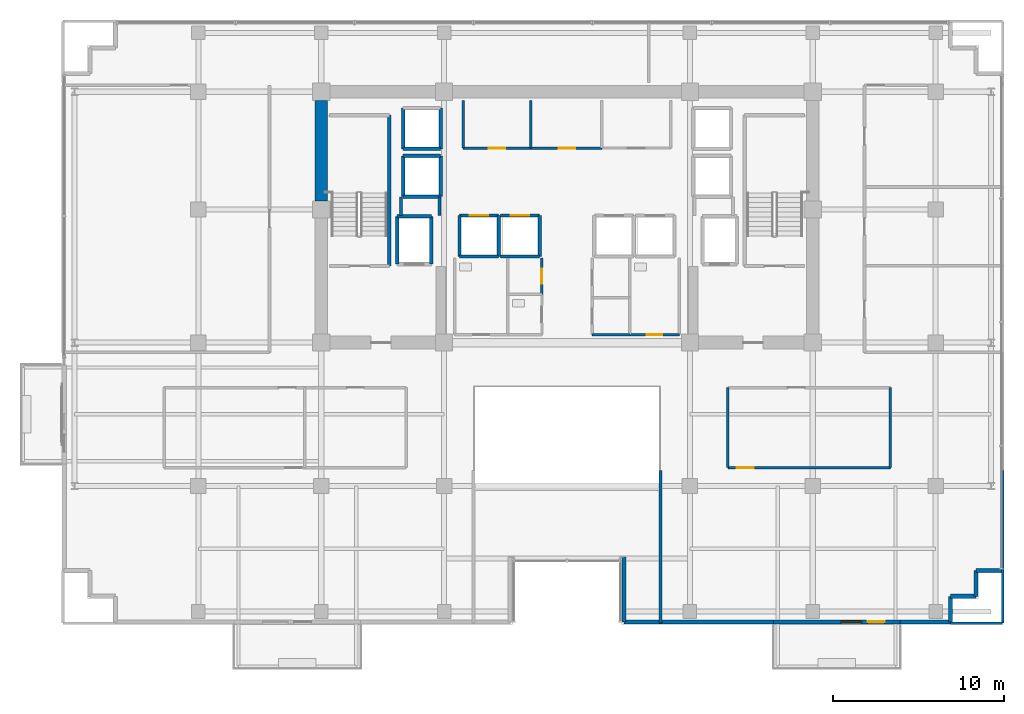
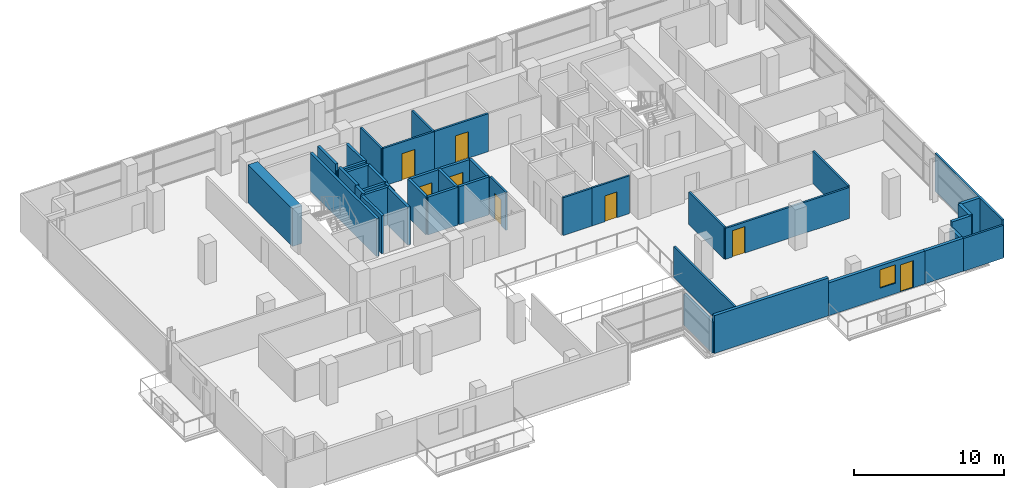
# One storey, part 21 of 27: 42 walls, 8 doors, 1 window, 9 openings.
"""IFC4 building model written with IfcOpenShell, lengths in metres."""

from ifc_helpers import new_model, si_unit, direction, frame, frame_2d, origin, place, context, subcontext, project, spatial, rectangle, extrude, source, transform, mapped, material, layer, layer_set, type_object, element, fill, save


model = new_model("IFC4")

# Units and contexts
model_context = context("Model", 3, precision=1e-05, world=origin(), true_north=direction((0.0, 1.0)))
body_context = subcontext(model_context, "Body", "Model", "MODEL_VIEW")
ifc_project = project(units=[si_unit("LENGTHUNIT", "METRE"), si_unit("AREAUNIT", "SQUARE_METRE"), si_unit("VOLUMEUNIT", "CUBIC_METRE"), si_unit("PLANEANGLEUNIT", "RADIAN"), si_unit("MASSUNIT", "GRAM", prefix="KILO")], contexts=[model_context])

# Site, building, storey
site_placement = place(None, origin())
site = spatial("IfcSite", under=ifc_project, at=site_placement, CompositionType="ELEMENT")
building_placement = place(site_placement, origin())
building = spatial("IfcBuilding", under=site, at=building_placement, Name="Zarnakvel Exchange Tower", CompositionType="ELEMENT")
storey_placement = place(building_placement, frame((0.0, 0.0, 96.699951171875)))
storey = spatial("IfcBuildingStorey", under=building, at=storey_placement, Name="L26", CompositionType="ELEMENT", Elevation=96.699951171875)

# Wall
ifc_material_1 = material(Name="Concrete C60/75", Category="concrete")
ifc_layer_1 = layer(ifc_material_1, 0.75)
ifc_layer_set_1 = layer_set([ifc_layer_1], Name="Concrete C60/75")
wall_type_1 = type_object("IfcWallType", Name="CW-C3", PredefinedType="SHEAR", material=ifc_layer_set_1)
wall_1_placement = place(storey_placement, frame((-14.39990234375, 7.10009765625, 0.0), z_axis=(0.0, 0.0, 1.0), x_axis=(0.0, 1.0, 0.0)))
element("IfcWall", 1, at=wall_1_placement, inside=storey, type_object=wall_type_1, Name="L26 Rear Core Shear Wall W2 (CW-C3)", PredefinedType="SHEAR", context=body_context, shape_type="SweptSolid", body=[
    extrude(rectangle(XDim=5.89990234375, YDim=0.75, at=frame_2d((2.949951171875, 0.0))), origin(), (0.0, 0.0, 1.0), 3.074951171875),
])

# Wall, openings, door, window
ifc_material_2 = material(Name="Precast concrete C40/50", Category="concrete")
ifc_layer_2 = layer(ifc_material_2, 0.239990234375)
ifc_layer_set_2 = layer_set([ifc_layer_2], Name="Precast concrete C40/50")
wall_type_2 = type_object("IfcWallType", Name="EW-02", PredefinedType="SOLIDWALL", material=ifc_layer_set_2)
wall_2_placement = place(storey_placement, frame((19.5, -17.56005859375, 0.0), z_axis=(0.0, 0.0, 1.0), x_axis=(-1.0, 0.0, 0.0)))
wall_2 = element("IfcWall", 2, at=wall_2_placement, inside=storey, type_object=wall_type_2, Name="L26 Exterior Precast Spandrel Wall EW-BAL-L26-SE (EW-02)", PredefinedType="SOLIDWALL", context=body_context, shape_type="SweptSolid", body=[
    extrude(rectangle(XDim=7.39990234375, YDim=0.239990234375, at=frame_2d((3.699951171875, 0.0))), origin(), (0.0, 0.0, 1.0), 2.6650390625),
])
opening_1_placement = place(wall_2_placement, frame((0.887939453125, 0.0, 0.0)))
opening_1 = element("IfcOpeningElement", 3, at=opening_1_placement, cuts=wall_2, Name="Opening BD-L26-02", PredefinedType="OPENING", context=body_context, shape_type="SweptSolid", body=[
    extrude(rectangle(XDim=1.0, YDim=2.199951171875, at=frame_2d((0.5, 1.10009765625))), frame((0.0, 0.1298828125, 0.0), z_axis=(0.0, -1.0, 0.0), x_axis=(1.0, 0.0, 0.0)), (0.0, 0.0, 1.0), 0.260009765625),
])
opening_2_placement = place(wall_2_placement, frame((2.238037109375, 0.0, 0.85009765625)))
opening_2 = element("IfcOpeningElement", 4, at=opening_2_placement, cuts=wall_2, Name="Opening WN-04", PredefinedType="OPENING", context=body_context, shape_type="SweptSolid", body=[
    extrude(rectangle(XDim=1.199951171875, YDim=1.5, at=frame_2d((0.60009765625, 0.75))), frame((0.0, 0.1298828125, 0.0), z_axis=(0.0, -1.0, 0.0), x_axis=(1.0, 0.0, 0.0)), (0.0, 0.0, 1.0), 0.260009765625),
])
ifc_material_3 = material(Name="Architectural Bronze Anodised Aluminium", Category="aluminium")
door_type_1 = type_object("IfcDoorType", Name="DT-09", OperationType="NOTDEFINED", PredefinedType="DOOR", material=ifc_material_3)
shared_shape_1 = source(origin(), body_context, "Body", "SweptSolid", [
    extrude(rectangle(XDim=1.0, YDim=2.199951171875, at=frame_2d((0.5, 1.10009765625))), frame((0.0, 0.02490234375, 0.0), z_axis=(0.0, -1.0, 0.0), x_axis=(1.0, 0.0, 0.0)), (0.0, 0.0, 1.0), 0.050048828125),
])
door_1_placement = place(opening_1_placement, origin())
door_1 = element("IfcDoor", 5, at=door_1_placement, inside=storey, type_object=door_type_1, Name="L26 Planted Loggia Balcony Door BD-L26-02", OperationType="SINGLE_SWING_LEFT", OverallHeight=2.199951171875, OverallWidth=1.0, PredefinedType="DOOR", context=body_context, shape_type="MappedRepresentation", body=[
    mapped(shared_shape_1, transform((0.0, 0.0, 0.0), x_axis=(1.0, 0.0, 0.0), y_axis=(0.0, 1.0, 0.0), z_axis=(0.0, 0.0, 1.0), scale=1.0)),
])
fill(opening_1, door_1)
ifc_material_4 = material(Name="Double Low-E Laminated Vision Glass", Category="glass")
window_type = type_object("IfcWindowType", Name="WN-04", PartitioningType="SINGLE_PANEL", PredefinedType="WINDOW", material=ifc_material_4)
shared_shape_2 = source(origin(), body_context, "Body", "SweptSolid", [
    extrude(rectangle(XDim=1.199951171875, YDim=1.5, at=frame_2d((0.60009765625, 0.75))), frame((0.0, 0.030029296875, 0.0), z_axis=(0.0, -1.0, 0.0), x_axis=(1.0, 0.0, 0.0)), (0.0, 0.0, 1.0), 0.06005859375),
])
window_placement = place(opening_2_placement, origin())
window = element("IfcWindow", 6, at=window_placement, inside=storey, type_object=window_type, Name="L26 Loggia Daylight Window (WN-04)", OverallHeight=1.5, OverallWidth=1.199951171875, PartitioningType="SINGLE_PANEL", PredefinedType="WINDOW", context=body_context, shape_type="MappedRepresentation", body=[
    mapped(shared_shape_2, transform((0.0, 0.0, 0.0), x_axis=(1.0, 0.0, 0.0), y_axis=(0.0, 1.0, 0.0), z_axis=(0.0, 0.0, 1.0), scale=1.0)),
])
fill(opening_2, window)

# Walls
for number, where, z_axis, x_axis, name in (
    (7, (23.9599609375, -14.56005859375, 0.0), (0.0, 0.0, 1.0), (1.0, 0.0, 0.0), "L26 Exterior Precast Spandrel Wall EWC-L26-11 (EW-02)"),
    (8, (23.9599609375, -16.06005859375, 0.0), (0.0, 0.0, 1.0), (0.0, 1.0, 0.0), "L26 Exterior Precast Spandrel Wall EWC-L26-12 (EW-02)"),
    (9, (22.4599609375, -16.06005859375, 0.0), (0.0, 0.0, 1.0), (1.0, 0.0, 0.0), "L26 Exterior Precast Spandrel Wall EWC-L26-13 (EW-02)"),
):
    element("IfcWall", number, at=place(storey_placement, frame(where, z_axis=z_axis, x_axis=x_axis)), inside=storey, type_object=wall_type_2, Name=name, PredefinedType="SOLIDWALL", context=body_context, shape_type="SweptSolid", body=[
        extrude(rectangle(XDim=1.5, YDim=0.239990234375, at=frame_2d((0.75, 0.0))), origin(), (0.0, 0.0, 1.0), 3.074951171875),
    ])
wall_3_placement = place(storey_placement, frame((22.4599609375, -17.56005859375, 0.0), z_axis=(0.0, 0.0, 1.0), x_axis=(0.0, 1.0, 0.0)))
element("IfcWall", 10, at=wall_3_placement, inside=storey, type_object=wall_type_2, Name="L26 Exterior Precast Spandrel Wall EWC-L26-14 (EW-02)", PredefinedType="SOLIDWALL", context=body_context, shape_type="SweptSolid", body=[
    extrude(rectangle(XDim=1.5, YDim=0.239990234375, at=frame_2d((0.75, 0.0))), origin(), (0.0, 0.0, 1.0), 2.56494140625),
])
wall_4_placement = place(storey_placement, frame((19.5, -17.56005859375, 0.0), z_axis=(0.0, 0.0, 1.0), x_axis=(1.0, 0.0, 0.0)))
element("IfcWall", 11, at=wall_4_placement, inside=storey, type_object=wall_type_2, Name="L26 Exterior Precast Spandrel Wall EWC-L26-15 (EW-02)", PredefinedType="SOLIDWALL", context=body_context, shape_type="SweptSolid", body=[
    extrude(rectangle(XDim=2.9599609375, YDim=0.239990234375, at=frame_2d((1.47998046875, 0.0))), origin(), (0.0, 0.0, 1.0), 2.6650390625),
])
wall_5_placement = place(storey_placement, frame((3.340087890625, -17.56005859375, 0.0), z_axis=(0.0, 0.0, 1.0), x_axis=(1.0, 0.0, 0.0)))
element("IfcWall", 12, at=wall_5_placement, inside=storey, type_object=wall_type_2, Name="L26 Exterior Precast Spandrel Wall EWC-L26-16 (EW-02)", PredefinedType="SOLIDWALL", context=body_context, shape_type="SweptSolid", body=[
    extrude(rectangle(XDim=8.760009765625, YDim=0.239990234375, at=frame_2d((4.3798828125, 0.0))), origin(), (0.0, 0.0, 1.0), 3.074951171875),
])
wall_6_placement = place(storey_placement, frame((3.340087890625, -13.760009765625, 0.0), z_axis=(0.0, 0.0, 1.0), x_axis=(0.0, -1.0, 0.0)))
element("IfcWall", 13, at=wall_6_placement, inside=storey, type_object=wall_type_2, Name="L26 Exterior Precast Spandrel Wall EWC-L26-17 (EW-02)", PredefinedType="SOLIDWALL", context=body_context, shape_type="SweptSolid", body=[
    extrude(rectangle(XDim=3.800048828125, YDim=0.239990234375, at=frame_2d((1.89990234375, 0.0))), origin(), (0.0, 0.0, 1.0), 2.51513671875),
])

# Wall, opening, door
ifc_material_5 = material(Name="Fire-Rated Gypsum Stud Partition", Category="gypsum")
ifc_layer_3 = layer(ifc_material_5, 0.14990234375)
ifc_layer_set_3 = layer_set([ifc_layer_3], Name="Fire-Rated Gypsum Stud Partition")
wall_type_3 = type_object("IfcWallType", Name="PT-01", PredefinedType="PARTITIONING", material=ifc_layer_set_3)
wall_7_placement = place(storey_placement, frame((-2.1201171875, 10.199951171875, 0.0), z_axis=(0.0, 0.0, 1.0), x_axis=(-1.0, 0.0, 0.0)))
wall_7 = element("IfcWall", 14, at=wall_7_placement, inside=storey, type_object=wall_type_3, Name="L26 Partition Wall PWALL-L26-011 (PT-01)", PredefinedType="PARTITIONING", context=body_context, shape_type="SweptSolid", body=[
    extrude(rectangle(XDim=3.9599609375, YDim=0.14990234375, at=frame_2d((1.97998046875, 0.0))), origin(), (0.0, 0.0, 1.0), 3.074951171875),
])
opening_3_placement = place(wall_7_placement, frame((1.489990234375, 0.0, 0.0)))
opening_3 = element("IfcOpeningElement", 15, at=opening_3_placement, cuts=wall_7, Name="Opening D-L26-05", PredefinedType="OPENING", context=body_context, shape_type="SweptSolid", body=[
    extrude(rectangle(XDim=0.97998046875, YDim=2.14990234375, at=frame_2d((0.489990234375, 1.074951171875))), frame((0.0, 0.0849609375, 0.0), z_axis=(0.0, -1.0, 0.0), x_axis=(1.0, 0.0, 0.0)), (0.0, 0.0, 1.0), 0.169921875),
])
ifc_material_6 = material(Name="Timber Acoustic Veneer", Category="wood")
door_type_2 = type_object("IfcDoorType", Name="DT-05", OperationType="NOTDEFINED", PredefinedType="DOOR", material=ifc_material_6)
shared_shape_3 = source(origin(), body_context, "Body", "SweptSolid", [
    extrude(rectangle(XDim=0.97998046875, YDim=2.14990234375, at=frame_2d((0.489990234375, 1.074951171875))), frame((0.0, 0.02490234375, 0.0), z_axis=(0.0, -1.0, 0.0), x_axis=(1.0, 0.0, 0.0)), (0.0, 0.0, 1.0), 0.050048828125),
])
door_2_placement = place(opening_3_placement, origin())
door_2 = element("IfcDoor", 16, at=door_2_placement, inside=storey, type_object=door_type_2, Name="L26 Clearing Records Office Door D-L26-05", OperationType="SINGLE_SWING_RIGHT", OverallHeight=2.14990234375, OverallWidth=0.97998046875, PredefinedType="DOOR", context=body_context, shape_type="MappedRepresentation", body=[
    mapped(shared_shape_3, transform((0.0, 0.0, 0.0), x_axis=(1.0, 0.0, 0.0), y_axis=(0.0, 1.0, 0.0), z_axis=(0.0, 0.0, 1.0), scale=1.0)),
])
fill(opening_3, door_2)

# Walls
for number, where, z_axis, x_axis, name in (
    (17, (-6.080078125, 10.199951171875, 0.0), (0.0, 0.0, 1.0), (0.0, 1.0, 0.0), "L26 Partition Wall PWALL-L26-012 (PT-01)"),
    (18, (-2.1201171875, 13.0, 0.0), (0.0, 0.0, 1.0), (0.0, -1.0, 0.0), "L26 Partition Wall PWALL-L26-013 (PT-01)"),
):
    element("IfcWall", number, at=place(storey_placement, frame(where, z_axis=z_axis, x_axis=x_axis)), inside=storey, type_object=wall_type_3, Name=name, PredefinedType="PARTITIONING", context=body_context, shape_type="SweptSolid", body=[
        extrude(rectangle(XDim=2.800048828125, YDim=0.14990234375, at=frame_2d((1.39990234375, 0.0))), origin(), (0.0, 0.0, 1.0), 3.074951171875),
    ])

# Wall, opening, door
wall_8_placement = place(storey_placement, frame((2.0400390625, 10.199951171875, 0.0), z_axis=(0.0, 0.0, 1.0), x_axis=(-1.0, 0.0, 0.0)))
wall_8 = element("IfcWall", 19, at=wall_8_placement, inside=storey, type_object=wall_type_3, Name="L26 Partition Wall PWALL-L26-014 (PT-01)", PredefinedType="PARTITIONING", context=body_context, shape_type="SweptSolid", body=[
    extrude(rectangle(XDim=4.16015625, YDim=0.14990234375, at=frame_2d((2.080078125, 0.0))), origin(), (0.0, 0.0, 1.0), 3.074951171875),
])
opening_4_placement = place(wall_8_placement, frame((1.550048828125, 0.0, 0.0)))
opening_4 = element("IfcOpeningElement", 20, at=opening_4_placement, cuts=wall_8, Name="Opening D-L26-06", PredefinedType="OPENING", context=body_context, shape_type="SweptSolid", body=[
    extrude(rectangle(XDim=0.97998046875, YDim=2.14990234375, at=frame_2d((0.489990234375, 1.074951171875))), frame((0.0, 0.0849609375, 0.0), z_axis=(0.0, -1.0, 0.0), x_axis=(1.0, 0.0, 0.0)), (0.0, 0.0, 1.0), 0.169921875),
])
door_3_placement = place(opening_4_placement, origin())
door_3 = element("IfcDoor", 21, at=door_3_placement, inside=storey, type_object=door_type_2, Name="L26 Brokerage Filing Room Door D-L26-06", OperationType="SINGLE_SWING_LEFT", OverallHeight=2.14990234375, OverallWidth=0.97998046875, PredefinedType="DOOR", context=body_context, shape_type="MappedRepresentation", body=[
    mapped(shared_shape_3, transform((0.0, 0.0, 0.0), x_axis=(1.0, 0.0, 0.0), y_axis=(0.0, 1.0, 0.0), z_axis=(0.0, 0.0, 1.0), scale=1.0)),
])
fill(opening_4, door_3)

wall_9_placement = place(storey_placement, frame((-1.469970703125, 3.760009765625, 0.0), z_axis=(0.0, 0.0, 1.0), x_axis=(0.0, -1.0, 0.0)))
wall_9 = element("IfcWall", 22, at=wall_9_placement, inside=storey, type_object=wall_type_3, Name="L26 Partition Wall PWALL-L26-024 (PT-01)", PredefinedType="PARTITIONING", context=body_context, shape_type="SweptSolid", body=[
    extrude(rectangle(XDim=2.130126953125, YDim=0.14990234375, at=frame_2d((1.06494140625, 0.0))), origin(), (0.0, 0.0, 1.0), 3.074951171875),
])
opening_5_placement = place(wall_9_placement, frame((0.6201171875, 0.0, 0.0)))
opening_5 = element("IfcOpeningElement", 23, at=opening_5_placement, cuts=wall_9, Name="Opening D-L26-10", PredefinedType="OPENING", context=body_context, shape_type="SweptSolid", body=[
    extrude(rectangle(XDim=0.8798828125, YDim=2.10009765625, at=frame_2d((0.43994140625, 1.050048828125))), frame((0.0, 0.0849609375, 0.0), z_axis=(0.0, -1.0, 0.0), x_axis=(1.0, 0.0, 0.0)), (0.0, 0.0, 1.0), 0.169921875),
])
ifc_material_7 = material(Name="Painted Galvanised Steel S355", Category="steel")
door_type_3 = type_object("IfcDoorType", Name="DT-08", OperationType="NOTDEFINED", PredefinedType="DOOR", material=ifc_material_7)
shared_shape_4 = source(origin(), body_context, "Body", "SweptSolid", [
    extrude(rectangle(XDim=0.8798828125, YDim=2.10009765625, at=frame_2d((0.43994140625, 1.050048828125))), frame((0.0, 0.02490234375, 0.0), z_axis=(0.0, -1.0, 0.0), x_axis=(1.0, 0.0, 0.0)), (0.0, 0.0, 1.0), 0.050048828125),
])
door_4_placement = place(opening_5_placement, origin())
door_4 = element("IfcDoor", 24, at=door_4_placement, inside=storey, type_object=door_type_3, Name="L26 Core Comms Room Door D-L26-10", OperationType="SINGLE_SWING_LEFT", OverallHeight=2.10009765625, OverallWidth=0.8798828125, PredefinedType="DOOR", context=body_context, shape_type="MappedRepresentation", body=[
    mapped(shared_shape_4, transform((0.0, 0.0, 0.0), x_axis=(1.0, 0.0, 0.0), y_axis=(0.0, 1.0, 0.0), z_axis=(0.0, 0.0, 1.0), scale=1.0)),
])
fill(opening_5, door_4)

# Wall
wall_10_placement = place(storey_placement, frame((3.679931640625, -0.72998046875, 0.0), z_axis=(0.0, 0.0, 1.0), x_axis=(-1.0, 0.0, 0.0)))
element("IfcWall", 25, at=wall_10_placement, inside=storey, type_object=wall_type_3, Name="L26 Partition Wall PWALL-L26-025 (PT-01)", PredefinedType="PARTITIONING", context=body_context, shape_type="SweptSolid", body=[
    extrude(rectangle(XDim=2.2099609375, YDim=0.14990234375, at=frame_2d((1.10498046875, 0.0))), origin(), (0.0, 0.0, 1.0), 3.074951171875),
])

# Wall, opening, door
wall_11_placement = place(storey_placement, frame((18.941162109375, -8.52001953125, 0.0), z_axis=(0.0, 0.0, 1.0), x_axis=(-1.0, 0.0, 0.0)))
wall_11 = element("IfcWall", 26, at=wall_11_placement, inside=storey, type_object=wall_type_3, Name="L26 Partition Wall PWALL-L26-043 (PT-01)", PredefinedType="PARTITIONING", context=body_context, shape_type="SweptSolid", body=[
    extrude(rectangle(XDim=9.51123046875, YDim=0.14990234375, at=frame_2d((4.755615234375, 0.0))), origin(), (0.0, 0.0, 1.0), 2.51513671875),
])
opening_6_placement = place(wall_11_placement, frame((8.001220703125, 0.0, 0.0)))
opening_6 = element("IfcOpeningElement", 27, at=opening_6_placement, cuts=wall_11, Name="Opening D-L26-18", PredefinedType="OPENING", context=body_context, shape_type="SweptSolid", body=[
    extrude(rectangle(XDim=0.97998046875, YDim=2.14990234375, at=frame_2d((0.489990234375, 1.074951171875))), frame((0.0, 0.0849609375, 0.0), z_axis=(0.0, -1.0, 0.0), x_axis=(1.0, 0.0, 0.0)), (0.0, 0.0, 1.0), 0.169921875),
])
door_5_placement = place(opening_6_placement, origin())
door_5 = element("IfcDoor", 28, at=door_5_placement, inside=storey, type_object=door_type_2, Name="L26 Clearing Office Door D-L26-18", OperationType="SINGLE_SWING_LEFT", OverallHeight=2.14990234375, OverallWidth=0.97998046875, PredefinedType="DOOR", context=body_context, shape_type="MappedRepresentation", body=[
    mapped(shared_shape_3, transform((0.0, 0.0, 0.0), x_axis=(1.0, 0.0, 0.0), y_axis=(0.0, 1.0, 0.0), z_axis=(0.0, 0.0, 1.0), scale=1.0)),
])
fill(opening_6, door_5)

# Walls
for number, where, z_axis, x_axis, name in (
    (29, (9.429931640625, -8.52001953125, 0.0), (0.0, 0.0, 1.0), (0.0, 1.0, 0.0), "L26 Partition Wall PWALL-L26-045 (PT-01)"),
    (30, (18.941162109375, -3.830078125, 0.0), (0.0, 0.0, 1.0), (0.0, -1.0, 0.0), "L26 Partition Wall PWALL-L26-046 (PT-01)"),
):
    element("IfcWall", number, at=place(storey_placement, frame(where, z_axis=z_axis, x_axis=x_axis)), inside=storey, type_object=wall_type_3, Name=name, PredefinedType="PARTITIONING", context=body_context, shape_type="SweptSolid", body=[
        extrude(rectangle(XDim=4.68994140625, YDim=0.14990234375, at=frame_2d((2.344970703125, 0.0))), origin(), (0.0, 0.0, 1.0), 2.614990234375),
    ])
wall_12_placement = place(storey_placement, frame((25.530029296875, -17.6298828125, 0.0), z_axis=(0.0, 0.0, 1.0), x_axis=(-1.0, 0.0, 0.0)))
element("IfcWall", 31, at=wall_12_placement, inside=storey, type_object=wall_type_3, Name="L26 Partition Wall PWALL-L26-047 (PT-01)", PredefinedType="PARTITIONING", context=body_context, shape_type="SweptSolid", body=[
    extrude(rectangle(XDim=3.070068359375, YDim=0.14990234375, at=frame_2d((1.53515625, 0.0))), origin(), (0.0, 0.0, 1.0), 2.6650390625),
])
wall_13_placement = place(storey_placement, frame((5.47998046875, -17.6298828125, 0.0), z_axis=(0.0, 0.0, 1.0), x_axis=(0.0, 1.0, 0.0)))
element("IfcWall", 32, at=wall_13_placement, inside=storey, type_object=wall_type_3, Name="L26 Partition Wall PWALL-L26-048 (PT-01)", PredefinedType="PARTITIONING", context=body_context, shape_type="SweptSolid", body=[
    extrude(rectangle(XDim=8.949951171875, YDim=0.14990234375, at=frame_2d((4.47509765625, 0.0))), origin(), (0.0, 0.0, 1.0), 2.51513671875),
])
wall_14_placement = place(storey_placement, frame((25.530029296875, -8.679931640625, 0.0), z_axis=(0.0, 0.0, 1.0), x_axis=(0.0, -1.0, 0.0)))
element("IfcWall", 33, at=wall_14_placement, inside=storey, type_object=wall_type_3, Name="L26 Partition Wall PWALL-L26-049 (PT-01)", PredefinedType="PARTITIONING", context=body_context, shape_type="SweptSolid", body=[
    extrude(rectangle(XDim=8.949951171875, YDim=0.14990234375, at=frame_2d((4.47509765625, 0.0))), origin(), (0.0, 0.0, 1.0), 3.074951171875),
])
ifc_layer_4 = layer(ifc_material_5, 0.179931640625)
ifc_layer_set_4 = layer_set([ifc_layer_4], Name="Fire-Rated Gypsum Stud Partition")
wall_type_4 = type_object("IfcWallType", Name="PT-02", PredefinedType="PARTITIONING", material=ifc_layer_set_4)
wall_15_placement = place(storey_placement, frame((-9.72998046875, 6.239990234375, 0.0), z_axis=(0.0, 0.0, 1.0), x_axis=(0.0, 1.0, 0.0)))
element("IfcWall", 34, at=wall_15_placement, inside=storey, type_object=wall_type_4, Name="L26 Partition Wall PWALL-L26-007 (PT-02)", PredefinedType="PARTITIONING", context=body_context, shape_type="SweptSolid", body=[
    extrude(rectangle(XDim=1.090087890625, YDim=0.179931640625, at=frame_2d((0.544921875, 0.0))), origin(), (0.0, 0.0, 1.0), 3.074951171875),
])
wall_16_placement = place(storey_placement, frame((-7.469970703125, 7.330078125, 0.0), z_axis=(0.0, 0.0, 1.0), x_axis=(0.0, -1.0, 0.0)))
element("IfcWall", 35, at=wall_16_placement, inside=storey, type_object=wall_type_4, Name="L26 Partition Wall PWALL-L26-008 (PT-02)", PredefinedType="PARTITIONING", context=body_context, shape_type="SweptSolid", body=[
    extrude(rectangle(XDim=1.090087890625, YDim=0.179931640625, at=frame_2d((0.544921875, 0.0))), origin(), (0.0, 0.0, 1.0), 2.51513671875),
])

# Wall, opening, door
ifc_material_8 = material(Name="Moisture-Resistant Tile-Faced Partition", Category="gypsum")
ifc_layer_5 = layer(ifc_material_8, 0.135009765625)
ifc_layer_set_5 = layer_set([ifc_layer_5], Name="Moisture-Resistant Tile-Faced Partition")
wall_type_5 = type_object("IfcWallType", Name="PT-03", PredefinedType="PARTITIONING", material=ifc_layer_set_5)
wall_17_placement = place(storey_placement, frame((6.580078125, -0.72998046875, 0.0), z_axis=(0.0, 0.0, 1.0), x_axis=(-1.0, 0.0, 0.0)))
wall_17 = element("IfcWall", 36, at=wall_17_placement, inside=storey, type_object=wall_type_5, Name="L26 Partition Wall PWALL-L26-031 (PT-03)", PredefinedType="PARTITIONING", context=body_context, shape_type="SweptSolid", body=[
    extrude(rectangle(XDim=2.900146484375, YDim=0.135009765625, at=frame_2d((1.4501953125, 0.0))), origin(), (0.0, 0.0, 1.0), 3.074951171875),
])
opening_7_placement = place(wall_17_placement, frame((0.989990234375, 0.0, 0.0)))
opening_7 = element("IfcOpeningElement", 37, at=opening_7_placement, cuts=wall_17, Name="Opening D-L26-13", PredefinedType="OPENING", context=body_context, shape_type="SweptSolid", body=[
    extrude(rectangle(XDim=0.919921875, YDim=2.10009765625, at=frame_2d((0.4599609375, 1.050048828125))), frame((0.0, 0.077392578125, 0.0), z_axis=(0.0, -1.0, 0.0), x_axis=(1.0, 0.0, 0.0)), (0.0, 0.0, 1.0), 0.155029296875),
])
ifc_material_9 = material(Name="Moisture-Resistant Laminate Timber", Category="wood")
door_type_4 = type_object("IfcDoorType", Name="DT-07", OperationType="NOTDEFINED", PredefinedType="DOOR", material=ifc_material_9)
shared_shape_5 = source(origin(), body_context, "Body", "SweptSolid", [
    extrude(rectangle(XDim=0.919921875, YDim=2.10009765625, at=frame_2d((0.4599609375, 1.050048828125))), frame((0.0, 0.02490234375, 0.0), z_axis=(0.0, -1.0, 0.0), x_axis=(1.0, 0.0, 0.0)), (0.0, 0.0, 1.0), 0.050048828125),
])
door_6_placement = place(opening_7_placement, origin())
door_6 = element("IfcDoor", 38, at=door_6_placement, inside=storey, type_object=door_type_4, Name="L26 Female Toilet Door D-L26-13", OperationType="SINGLE_SWING_RIGHT", OverallHeight=2.10009765625, OverallWidth=0.919921875, PredefinedType="DOOR", context=body_context, shape_type="MappedRepresentation", body=[
    mapped(shared_shape_5, transform((0.0, 0.0, 0.0), x_axis=(1.0, 0.0, 0.0), y_axis=(0.0, 1.0, 0.0), z_axis=(0.0, 0.0, 1.0), scale=1.0)),
])
fill(opening_7, door_6)

# Walls
ifc_material_10 = material(Name="Concrete C40/50", Category="concrete")
ifc_layer_6 = layer(ifc_material_10, 0.199951171875)
ifc_layer_set_6 = layer_set([ifc_layer_6], Name="Concrete C40/50")
wall_type_6 = type_object("IfcWallType", Name="SW-01", PredefinedType="SOLIDWALL", material=ifc_layer_set_6)
wall_18_placement = place(storey_placement, frame((-9.949951171875, 6.199951171875, 0.0), z_axis=(0.0, 0.0, 1.0), x_axis=(1.0, 0.0, 0.0)))
element("IfcWall", 39, at=wall_18_placement, inside=storey, type_object=wall_type_6, Name="L26 FL-01 Hoistway Wall North", PredefinedType="SOLIDWALL", context=body_context, shape_type="SweptSolid", body=[
    extrude(rectangle(XDim=2.0, YDim=0.199951171875, at=frame_2d((1.0, 0.0))), origin(), (0.0, 0.0, 1.0), 3.074951171875),
])
for number, where, z_axis, x_axis, name in (
    (40, (-9.949951171875, 3.39990234375, 0.0), (0.0, 0.0, 1.0), (0.0, 1.0, 0.0), "L26 FL-01 Hoistway Wall West"),
    (41, (-7.949951171875, 6.199951171875, 0.0), (0.0, 0.0, 1.0), (0.0, -1.0, 0.0), "L26 FL-01 Hoistway Wall East"),
):
    element("IfcWall", number, at=place(storey_placement, frame(where, z_axis=z_axis, x_axis=x_axis)), inside=storey, type_object=wall_type_6, Name=name, PredefinedType="SOLIDWALL", context=body_context, shape_type="SweptSolid", body=[
        extrude(rectangle(XDim=2.800048828125, YDim=0.199951171875, at=frame_2d((1.39990234375, 0.0))), origin(), (0.0, 0.0, 1.0), 3.074951171875),
    ])
wall_19_placement = place(storey_placement, frame((-4.0, 3.85009765625, 0.0), z_axis=(0.0, 0.0, 1.0), x_axis=(-1.0, 0.0, 0.0)))
element("IfcWall", 42, at=wall_19_placement, inside=storey, type_object=wall_type_6, Name="L26 PL-05 Hoistway Wall South", PredefinedType="SOLIDWALL", context=body_context, shape_type="SweptSolid", body=[
    extrude(rectangle(XDim=2.300048828125, YDim=0.199951171875, at=frame_2d((1.14990234375, 0.0))), origin(), (0.0, 0.0, 1.0), 3.074951171875),
])

# Wall, opening, door
wall_20_placement = place(storey_placement, frame((-6.300048828125, 6.25, 0.0), z_axis=(0.0, 0.0, 1.0), x_axis=(1.0, 0.0, 0.0)))
wall_20 = element("IfcWall", 43, at=wall_20_placement, inside=storey, type_object=wall_type_6, Name="L26 PL-05 Hoistway Wall North", PredefinedType="SOLIDWALL", context=body_context, shape_type="SweptSolid", body=[
    extrude(rectangle(XDim=2.300048828125, YDim=0.199951171875, at=frame_2d((1.14990234375, 0.0))), origin(), (0.0, 0.0, 1.0), 3.074951171875),
])
opening_8_placement = place(wall_20_placement, frame((0.60009765625, 0.0, 0.0)))
opening_8 = element("IfcOpeningElement", 44, at=opening_8_placement, cuts=wall_20, Name="Opening LD-PL-05-L26", PredefinedType="OPENING", context=body_context, shape_type="SweptSolid", body=[
    extrude(rectangle(XDim=1.10009765625, YDim=2.199951171875, at=frame_2d((0.550048828125, 1.10009765625))), frame((0.0, 0.10986328125, 0.0), z_axis=(0.0, -1.0, 0.0), x_axis=(1.0, 0.0, 0.0)), (0.0, 0.0, 1.0), 0.219970703125),
])
door_type_5 = type_object("IfcDoorType", Name="LDT-02", OperationType="NOTDEFINED", PredefinedType="DOOR", material=ifc_material_3)
shared_shape_6 = source(origin(), body_context, "Body", "SweptSolid", [
    extrude(rectangle(XDim=1.10009765625, YDim=2.199951171875, at=frame_2d((0.550048828125, 1.10009765625))), frame((0.0, 0.02490234375, 0.0), z_axis=(0.0, -1.0, 0.0), x_axis=(1.0, 0.0, 0.0)), (0.0, 0.0, 1.0), 0.050048828125),
])
door_7_placement = place(opening_8_placement, origin())
door_7 = element("IfcDoor", 45, at=door_7_placement, inside=storey, type_object=door_type_5, Name="L26 PL-05 Lift Landing Door LD-PL-05-L26", OperationType="DOUBLE_DOOR_SLIDING", OverallHeight=2.199951171875, OverallWidth=1.10009765625, PredefinedType="DOOR", context=body_context, shape_type="MappedRepresentation", body=[
    mapped(shared_shape_6, transform((0.0, 0.0, 0.0), x_axis=(1.0, 0.0, 0.0), y_axis=(0.0, 1.0, 0.0), z_axis=(0.0, 0.0, 1.0), scale=1.0)),
])
fill(opening_8, door_7)

# Walls
for number, where, z_axis, x_axis, name in (
    (46, (-6.300048828125, 3.85009765625, 0.0), (0.0, 0.0, 1.0), (0.0, 1.0, 0.0), "L26 PL-05 Hoistway Wall West"),
    (47, (-4.0, 6.25, 0.0), (0.0, 0.0, 1.0), (0.0, -1.0, 0.0), "L26 PL-05 Hoistway Wall East"),
):
    element("IfcWall", number, at=place(storey_placement, frame(where, z_axis=z_axis, x_axis=x_axis)), inside=storey, type_object=wall_type_6, Name=name, PredefinedType="SOLIDWALL", context=body_context, shape_type="SweptSolid", body=[
        extrude(rectangle(XDim=2.39990234375, YDim=0.199951171875, at=frame_2d((1.199951171875, 0.0))), origin(), (0.0, 0.0, 1.0), 3.074951171875),
    ])
wall_21_placement = place(storey_placement, frame((-1.60009765625, 3.85009765625, 0.0), z_axis=(0.0, 0.0, 1.0), x_axis=(-1.0, 0.0, 0.0)))
element("IfcWall", 48, at=wall_21_placement, inside=storey, type_object=wall_type_6, Name="L26 PL-06 Hoistway Wall South", PredefinedType="SOLIDWALL", context=body_context, shape_type="SweptSolid", body=[
    extrude(rectangle(XDim=2.2998046875, YDim=0.199951171875, at=frame_2d((1.14990234375, 0.0))), origin(), (0.0, 0.0, 1.0), 3.074951171875),
])

# Wall, opening, door
wall_22_placement = place(storey_placement, frame((-3.89990234375, 6.25, 0.0), z_axis=(0.0, 0.0, 1.0), x_axis=(1.0, 0.0, 0.0)))
wall_22 = element("IfcWall", 49, at=wall_22_placement, inside=storey, type_object=wall_type_6, Name="L26 PL-06 Hoistway Wall North", PredefinedType="SOLIDWALL", context=body_context, shape_type="SweptSolid", body=[
    extrude(rectangle(XDim=2.2998046875, YDim=0.199951171875, at=frame_2d((1.14990234375, 0.0))), origin(), (0.0, 0.0, 1.0), 3.074951171875),
])
opening_9_placement = place(wall_22_placement, frame((0.60009765625, 0.0, 0.0)))
opening_9 = element("IfcOpeningElement", 50, at=opening_9_placement, cuts=wall_22, Name="Opening LD-PL-06-L26", PredefinedType="OPENING", context=body_context, shape_type="SweptSolid", body=[
    extrude(rectangle(XDim=1.10009765625, YDim=2.199951171875, at=frame_2d((0.550048828125, 1.10009765625))), frame((0.0, 0.10986328125, 0.0), z_axis=(0.0, -1.0, 0.0), x_axis=(1.0, 0.0, 0.0)), (0.0, 0.0, 1.0), 0.219970703125),
])
door_8_placement = place(opening_9_placement, origin())
door_8 = element("IfcDoor", 51, at=door_8_placement, inside=storey, type_object=door_type_5, Name="L26 PL-06 Lift Landing Door LD-PL-06-L26", OperationType="DOUBLE_DOOR_SLIDING", OverallHeight=2.199951171875, OverallWidth=1.10009765625, PredefinedType="DOOR", context=body_context, shape_type="MappedRepresentation", body=[
    mapped(shared_shape_6, transform((0.0, 0.0, 0.0), x_axis=(1.0, 0.0, 0.0), y_axis=(0.0, 1.0, 0.0), z_axis=(0.0, 0.0, 1.0), scale=1.0)),
])
fill(opening_9, door_8)

# Walls
wall_23_placement = place(storey_placement, frame((-1.60009765625, 6.25, 0.0), z_axis=(0.0, 0.0, 1.0), x_axis=(0.0, -1.0, 0.0)))
element("IfcWall", 52, at=wall_23_placement, inside=storey, type_object=wall_type_6, Name="L26 PL-06 Hoistway Wall East", PredefinedType="SOLIDWALL", context=body_context, shape_type="SweptSolid", body=[
    extrude(rectangle(XDim=2.39990234375, YDim=0.199951171875, at=frame_2d((1.199951171875, 0.0))), origin(), (0.0, 0.0, 1.0), 3.074951171875),
])
for number, where, z_axis, x_axis, name in (
    (53, (-7.39990234375, 7.35009765625, 0.0), (0.0, 0.0, 1.0), (-1.0, 0.0, 0.0), "L26 PL-09 Hoistway Wall South"),
    (54, (-9.60009765625, 9.75, 0.0), (0.0, 0.0, 1.0), (1.0, 0.0, 0.0), "L26 PL-09 Hoistway Wall North"),
):
    element("IfcWall", number, at=place(storey_placement, frame(where, z_axis=z_axis, x_axis=x_axis)), inside=storey, type_object=wall_type_6, Name=name, PredefinedType="SOLIDWALL", context=body_context, shape_type="SweptSolid", body=[
        extrude(rectangle(XDim=2.2001953125, YDim=0.199951171875, at=frame_2d((1.10009765625, 0.0))), origin(), (0.0, 0.0, 1.0), 2.51513671875),
    ])
wall_24_placement = place(storey_placement, frame((-9.60009765625, 7.35009765625, 0.0), z_axis=(0.0, 0.0, 1.0), x_axis=(0.0, 1.0, 0.0)))
element("IfcWall", 55, at=wall_24_placement, inside=storey, type_object=wall_type_6, Name="L26 PL-09 Hoistway Wall West", PredefinedType="SOLIDWALL", context=body_context, shape_type="SweptSolid", body=[
    extrude(rectangle(XDim=2.39990234375, YDim=0.199951171875, at=frame_2d((1.199951171875, 0.0))), origin(), (0.0, 0.0, 1.0), 3.074951171875),
])
wall_25_placement = place(storey_placement, frame((-7.39990234375, 9.75, 0.0), z_axis=(0.0, 0.0, 1.0), x_axis=(0.0, -1.0, 0.0)))
element("IfcWall", 56, at=wall_25_placement, inside=storey, type_object=wall_type_6, Name="L26 PL-09 Hoistway Wall East", PredefinedType="SOLIDWALL", context=body_context, shape_type="SweptSolid", body=[
    extrude(rectangle(XDim=2.39990234375, YDim=0.199951171875, at=frame_2d((1.199951171875, 0.0))), origin(), (0.0, 0.0, 1.0), 2.51513671875),
])
wall_26_placement = place(storey_placement, frame((-7.39990234375, 10.14990234375, 0.0), z_axis=(0.0, 0.0, 1.0), x_axis=(-1.0, 0.0, 0.0)))
element("IfcWall", 57, at=wall_26_placement, inside=storey, type_object=wall_type_6, Name="L26 PL-10 Hoistway Wall South", PredefinedType="SOLIDWALL", context=body_context, shape_type="SweptSolid", body=[
    extrude(rectangle(XDim=2.2001953125, YDim=0.199951171875, at=frame_2d((1.10009765625, 0.0))), origin(), (0.0, 0.0, 1.0), 2.51513671875),
])
wall_27_placement = place(storey_placement, frame((-9.60009765625, 10.14990234375, 0.0), z_axis=(0.0, 0.0, 1.0), x_axis=(0.0, 1.0, 0.0)))
element("IfcWall", 58, at=wall_27_placement, inside=storey, type_object=wall_type_6, Name="L26 PL-10 Hoistway Wall West", PredefinedType="SOLIDWALL", context=body_context, shape_type="SweptSolid", body=[
    extrude(rectangle(XDim=2.400146484375, YDim=0.199951171875, at=frame_2d((1.2001953125, 0.0))), origin(), (0.0, 0.0, 1.0), 3.074951171875),
])
wall_28_placement = place(storey_placement, frame((-7.39990234375, 12.550048828125, 0.0), z_axis=(0.0, 0.0, 1.0), x_axis=(0.0, -1.0, 0.0)))
element("IfcWall", 59, at=wall_28_placement, inside=storey, type_object=wall_type_6, Name="L26 PL-10 Hoistway Wall East", PredefinedType="SOLIDWALL", context=body_context, shape_type="SweptSolid", body=[
    extrude(rectangle(XDim=2.400146484375, YDim=0.199951171875, at=frame_2d((1.2001953125, 0.0))), origin(), (0.0, 0.0, 1.0), 2.51513671875),
])
ifc_layer_7 = layer(ifc_material_10, 0.199951171875)
ifc_layer_set_7 = layer_set([ifc_layer_7], Name="Concrete C40/50")
wall_type_7 = type_object("IfcWallType", Name="SW-02", PredefinedType="SOLIDWALL", material=ifc_layer_set_7)
wall_29_placement = place(storey_placement, frame((-10.409912109375, 12.1298828125, 0.0), z_axis=(0.0, 0.0, 1.0), x_axis=(0.0, -1.0, 0.0)))
element("IfcWall", 60, at=wall_29_placement, inside=storey, type_object=wall_type_7, Name="L26 Stairwell Core Wall PWALL-L26-003 (SW-02)", PredefinedType="SOLIDWALL", context=body_context, shape_type="SweptSolid", body=[
    extrude(rectangle(XDim=8.83984375, YDim=0.199951171875, at=frame_2d((4.419921875, 0.0))), origin(), (0.0, 0.0, 1.0), 3.074951171875),
])

save(model, "model.ifc")
